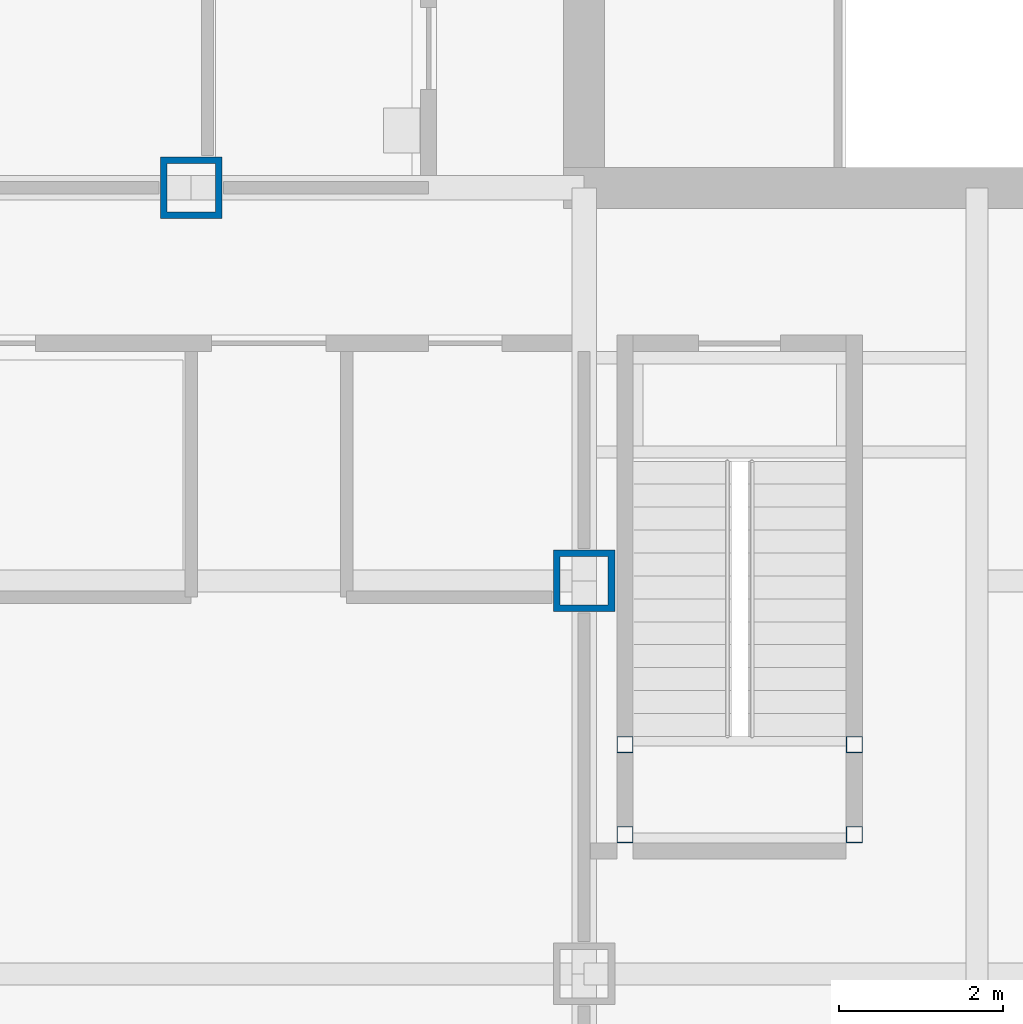
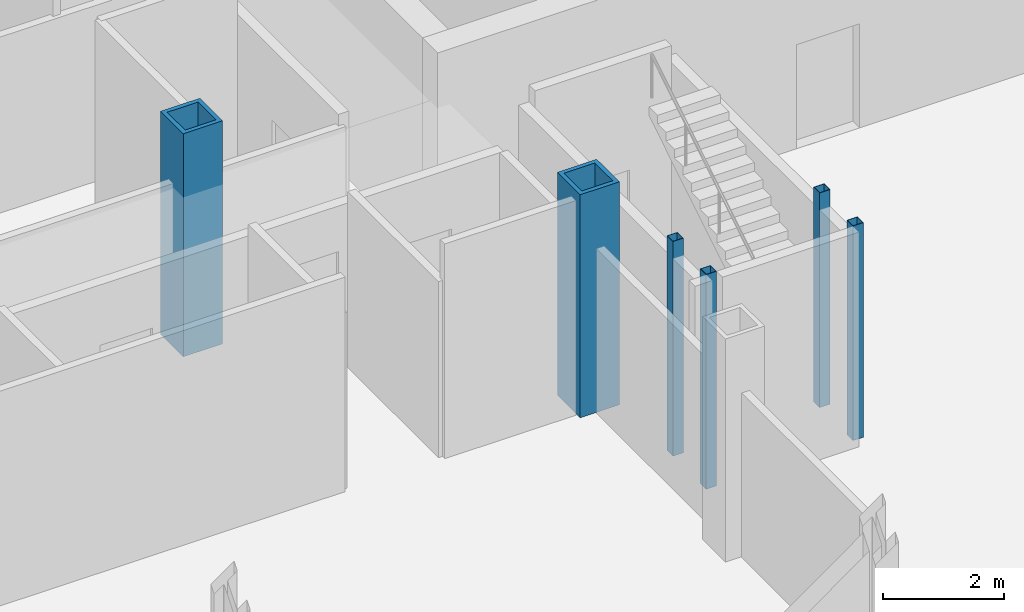
# One storey, part 3 of 25: 6 columns.
"""IFC4 building model written with IfcOpenShell, lengths in metres."""

from ifc_helpers import new_model, si_unit, direction, frame, origin, origin_2d, place, context, subcontext, project, spatial, hollow_rectangle, extrude, material, material_profile, profile_set, type_object, element, save


model = new_model("IFC4")

# Units and contexts
model_context = context("Model", 3, precision=1e-05, world=origin(), true_north=direction((0.0, 1.0)))
body_context = subcontext(model_context, "Body", "Model", "MODEL_VIEW")
ifc_project = project(units=[si_unit("LENGTHUNIT", "METRE"), si_unit("AREAUNIT", "SQUARE_METRE"), si_unit("VOLUMEUNIT", "CUBIC_METRE"), si_unit("PLANEANGLEUNIT", "RADIAN"), si_unit("MASSUNIT", "GRAM", prefix="KILO")], contexts=[model_context])

# Site, building, storey
site_placement = place(None, origin())
site = spatial("IfcSite", under=ifc_project, at=site_placement, CompositionType="ELEMENT")
building_placement = place(site_placement, origin())
building = spatial("IfcBuilding", under=site, at=building_placement, Name="Kvirike Care Tower", CompositionType="ELEMENT")
storey_placement = place(building_placement, frame((0.0, 0.0, 9.0)))
storey = spatial("IfcBuildingStorey", under=building, at=storey_placement, Name="L02", CompositionType="ELEMENT", Elevation=9.0)

# Columns
ifc_material_1 = material(Name="Steel S460", Category="steel")
ifc_material_profile_1 = material_profile(ifc_material_1, hollow_rectangle(XDim=0.75, YDim=0.75, WallThickness=0.080078125, at=origin_2d()), Name="BX 750x750x80")
ifc_profile_set_1 = profile_set([ifc_material_profile_1], Name="Steel S460")
column_type_1 = type_object("IfcColumnType", Name="COLUMN BX 750x750x80", PredefinedType="COLUMN", material=ifc_profile_set_1)
for number, where, z_axis, x_axis, name in (
    (1, (9.60009765625, 28.800048828125, 0.0), (0.0, 0.0, 1.0), (0.0, 1.0, 0.0), "Column G5 L02"),
    (2, (14.39990234375, 24.0, 0.0), (0.0, 0.0, 1.0), (1.0, 0.0, 0.0), "Column F6 L02"),
):
    element("IfcColumn", number, at=place(storey_placement, frame(where, z_axis=z_axis, x_axis=x_axis)), inside=storey, type_object=column_type_1, Name=name, PredefinedType="COLUMN", context=body_context, shape_type="SweptSolid", body=[
        extrude(hollow_rectangle(XDim=0.75, YDim=0.75, WallThickness=0.080078125, at=origin_2d()), origin(), (0.0, 0.0, 1.0), 4.5),
    ])
ifc_material_2 = material(Name="Steel S460", Category="steel")
ifc_material_profile_2 = material_profile(ifc_material_2, hollow_rectangle(XDim=0.199951171875, YDim=0.199951171875, WallThickness=0.008056640625, at=origin_2d()), Name="SHS 200x200x8")
ifc_profile_set_2 = profile_set([ifc_material_profile_2], Name="Steel S460")
column_type_2 = type_object("IfcColumnType", Name="STAIR POST SHS 200x200x8", PredefinedType="COLUMN", material=ifc_profile_set_2)
for number, where, z_axis, x_axis, name in (
    (3, (14.89990234375, 20.89990234375, 0.0), (0.0, 0.0, 1.0), (1.0, 0.0, 0.0), "Stair 5 post 1 L02"),
    (4, (17.699951171875, 20.89990234375, 0.0), (0.0, 0.0, 1.0), (1.0, 0.0, 0.0), "Stair 5 post 2 L02"),
    (5, (14.89990234375, 22.0, 0.0), (0.0, 0.0, 1.0), (1.0, 0.0, 0.0), "Stair 5 post 3 L02"),
    (6, (17.699951171875, 22.0, 0.0), (0.0, 0.0, 1.0), (1.0, 0.0, 0.0), "Stair 5 post 4 L02"),
):
    element("IfcColumn", number, at=place(storey_placement, frame(where, z_axis=z_axis, x_axis=x_axis)), inside=storey, type_object=column_type_2, Name=name, PredefinedType="COLUMN", context=body_context, shape_type="SweptSolid", body=[
        extrude(hollow_rectangle(XDim=0.199951171875, YDim=0.199951171875, WallThickness=0.008056640625, at=origin_2d()), origin(), (0.0, 0.0, 1.0), 4.330078125),
    ])

save(model, "model.ifc")
